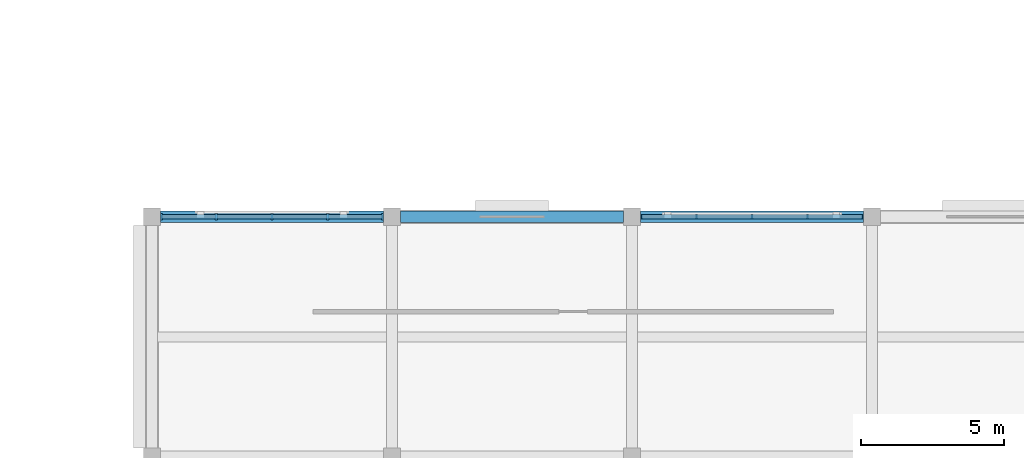
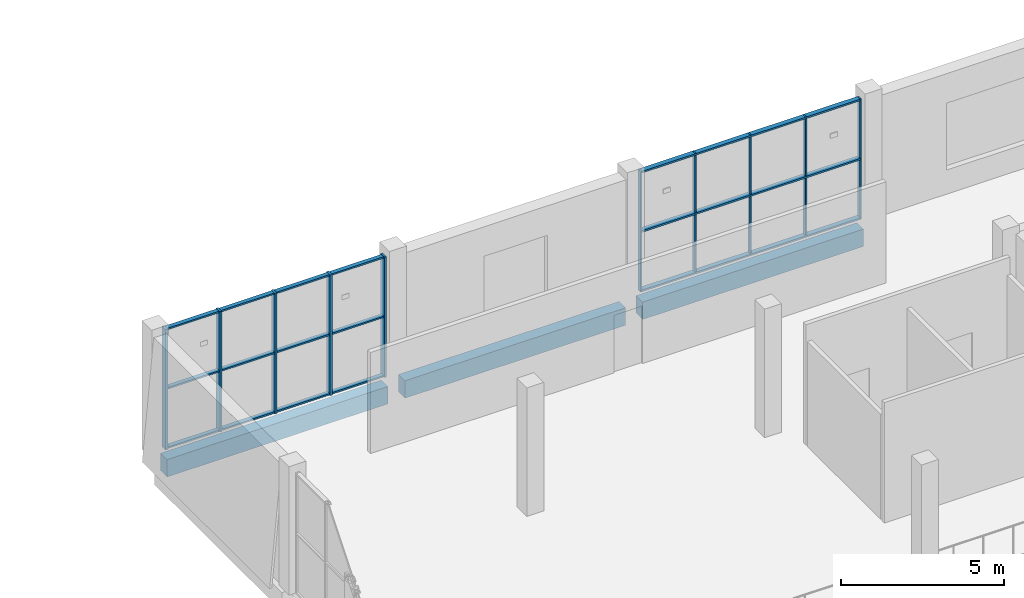
# One storey, part 14 of 37: 16 members, 3 beams, 2 elements without a shape of their own.
"""IFC4 building model written with IfcOpenShell, lengths in metres."""

from ifc_helpers import new_model, si_unit, direction, frame, origin, origin_2d, place, context, subcontext, project, spatial, rectangle, extrude, material, material_profile, profile_set, type_object, element, aggregate, save


model = new_model("IFC4")

# Units and contexts
model_context = context("Model", 3, precision=1e-05, world=origin(), true_north=direction((0.0, 1.0)))
body_context = subcontext(model_context, "Body", "Model", "MODEL_VIEW")
ifc_project = project(units=[si_unit("LENGTHUNIT", "METRE"), si_unit("AREAUNIT", "SQUARE_METRE"), si_unit("VOLUMEUNIT", "CUBIC_METRE"), si_unit("PLANEANGLEUNIT", "RADIAN"), si_unit("MASSUNIT", "GRAM", prefix="KILO")], contexts=[model_context])

# Site, building, storey
site_placement = place(None, origin())
site = spatial("IfcSite", under=ifc_project, at=site_placement, CompositionType="ELEMENT")
building_placement = place(site_placement, origin())
building = spatial("IfcBuilding", under=site, at=building_placement, Name="Shalvenor Court Art Gallery", CompositionType="ELEMENT")
storey_placement = place(building_placement, frame((0.0, 0.0, 22.199951171875)))
storey = spatial("IfcBuildingStorey", under=building, at=storey_placement, Name="L04", CompositionType="ELEMENT", Elevation=22.199951171875)

# Beams
ifc_material_1 = material(Name="Concrete C40/50", Category="concrete")
ifc_material_profile_1 = material_profile(ifc_material_1, rectangle(XDim=0.39990234375, YDim=0.64990234375, at=origin_2d()), Name="RC 400x650")
ifc_profile_set_1 = profile_set([ifc_material_profile_1], Name="Concrete C40/50")
beam_type = type_object("IfcBeamType", Name="B-06", PredefinedType="BEAM", material=ifc_profile_set_1)
beam_placement = place(storey_placement, frame((143.10009765625, 97.199951171875, -0.625), z_axis=(1.0, 0.0, 0.0), x_axis=(0.0, 1.0, 0.0)))
element("IfcBeam", 1, at=beam_placement, inside=storey, type_object=beam_type, Name="L04 Girder BM-L04-B-06-1244", PredefinedType="BEAM", context=body_context, shape_type="SweptSolid", body=[
    extrude(rectangle(XDim=0.39990234375, YDim=0.64990234375, at=origin_2d()), origin(), (0.0, 0.0, 1.0), 7.7998046875),
])
for number, where, z_axis, x_axis, name in (
    (2, (151.5, 97.199951171875, -0.625), (1.0, 0.0, 0.0), (0.0, 1.0, 0.0), "L04 Girder BM-L04-B-06-1245"),
    (3, (159.89990234375, 97.199951171875, -0.625), (1.0, 0.0, 0.0), (0.0, 1.0, 0.0), "L04 Girder BM-L04-B-06-1246"),
):
    element("IfcBeam", number, at=place(storey_placement, frame(where, z_axis=z_axis, x_axis=x_axis)), inside=storey, type_object=beam_type, Name=name, PredefinedType="BEAM", context=body_context, shape_type="SweptSolid", body=[
        extrude(rectangle(XDim=0.39990234375, YDim=0.64990234375, at=origin_2d()), origin(), (0.0, 0.0, 1.0), 7.800048828125),
    ])

# Curtain wall, members
ifc_material_2 = material(Name="Anodised aluminium and low-iron glass curtain wall", Category="aluminium")
curtain_wall_type_1 = type_object("IfcCurtainWallType", Name="CW-4x2-78-45-412", PredefinedType="USERDEFINED", material=ifc_material_2)
curtain_wall_1_placement = place(storey_placement, origin())
curtain_wall_1 = element("IfcCurtainWall", 4, at=curtain_wall_1_placement, inside=storey, type_object=curtain_wall_type_1, Name="L04 V1 Curtain Wall CW-L04-030", ObjectType="CURTAIN WALL", PredefinedType="USERDEFINED")
ifc_material_3 = material(Name="Anodised aluminium mullion", Category="aluminium")
ifc_material_profile_2 = material_profile(ifc_material_3, rectangle(XDim=0.074951171875, YDim=0.219970703125, at=origin_2d()), Name="CWM-04")
ifc_profile_set_2 = profile_set([ifc_material_profile_2], Name="Anodised aluminium mullion")
member_type_1 = type_object("IfcMemberType", Name="CWM-04", PredefinedType="MULLION", material=ifc_profile_set_2)
member_1_placement = place(storey_placement, frame((143.137451171875, 97.199951171875, 0.0), z_axis=(0.0, 0.0, 1.0), x_axis=(1.0, 0.0, 0.0)))
member_1 = element("IfcMember", 5, at=member_1_placement, type_object=member_type_1, Name="CW-4x2-78-45-412 mullion 1", PredefinedType="MULLION", context=body_context, shape_type="SweptSolid", body=[
    extrude(rectangle(XDim=0.074951171875, YDim=0.219970703125, at=origin_2d()), origin(), (0.0, 0.0, 1.0), 4.5),
])
member_2_placement = place(storey_placement, frame((145.050048828125, 97.199951171875, 0.0), z_axis=(0.0, 0.0, 1.0), x_axis=(1.0, 0.0, 0.0)))
member_2 = element("IfcMember", 6, at=member_2_placement, type_object=member_type_1, Name="CW-4x2-78-45-412 mullion 2", PredefinedType="MULLION", context=body_context, shape_type="SweptSolid", body=[
    extrude(rectangle(XDim=0.074951171875, YDim=0.219970703125, at=origin_2d()), origin(), (0.0, 0.0, 1.0), 4.5),
])
member_3_placement = place(storey_placement, frame((147.0, 97.199951171875, 0.0), z_axis=(0.0, 0.0, 1.0), x_axis=(1.0, 0.0, 0.0)))
member_3 = element("IfcMember", 7, at=member_3_placement, type_object=member_type_1, Name="CW-4x2-78-45-412 mullion 3", PredefinedType="MULLION", context=body_context, shape_type="SweptSolid", body=[
    extrude(rectangle(XDim=0.074951171875, YDim=0.219970703125, at=origin_2d()), origin(), (0.0, 0.0, 1.0), 4.5),
])
member_4_placement = place(storey_placement, frame((148.949951171875, 97.199951171875, 0.0), z_axis=(0.0, 0.0, 1.0), x_axis=(1.0, 0.0, 0.0)))
member_4 = element("IfcMember", 8, at=member_4_placement, type_object=member_type_1, Name="CW-4x2-78-45-412 mullion 4", PredefinedType="MULLION", context=body_context, shape_type="SweptSolid", body=[
    extrude(rectangle(XDim=0.074951171875, YDim=0.219970703125, at=origin_2d()), origin(), (0.0, 0.0, 1.0), 4.5),
])
member_5_placement = place(storey_placement, frame((150.862548828125, 97.199951171875, 0.0), z_axis=(0.0, 0.0, 1.0), x_axis=(1.0, 0.0, 0.0)))
member_5 = element("IfcMember", 9, at=member_5_placement, type_object=member_type_1, Name="CW-4x2-78-45-412 mullion 5", PredefinedType="MULLION", context=body_context, shape_type="SweptSolid", body=[
    extrude(rectangle(XDim=0.074951171875, YDim=0.219970703125, at=origin_2d()), origin(), (0.0, 0.0, 1.0), 4.5),
])

ifc_material_4 = material(Name="Anodised aluminium and low-iron glass curtain wall", Category="aluminium")
curtain_wall_type_2 = type_object("IfcCurtainWallType", Name="CW-4x2-78-45-622", PredefinedType="USERDEFINED", material=ifc_material_4)
curtain_wall_2_placement = place(storey_placement, origin())
curtain_wall_2 = element("IfcCurtainWall", 10, at=curtain_wall_2_placement, inside=storey, type_object=curtain_wall_type_2, Name="L04 V1 Curtain Wall CW-L04-031", ObjectType="CURTAIN WALL", PredefinedType="USERDEFINED")
ifc_material_5 = material(Name="Anodised aluminium mullion", Category="aluminium")
ifc_material_profile_3 = material_profile(ifc_material_5, rectangle(XDim=0.054931640625, YDim=0.139892578125, at=origin_2d()), Name="CWM-06")
ifc_profile_set_3 = profile_set([ifc_material_profile_3], Name="Anodised aluminium mullion")
member_type_2 = type_object("IfcMemberType", Name="CWM-06", PredefinedType="MULLION", material=ifc_profile_set_3)
member_6_placement = place(storey_placement, frame((159.927490234375, 97.199951171875, 0.0), z_axis=(0.0, 0.0, 1.0), x_axis=(1.0, 0.0, 0.0)))
member_6 = element("IfcMember", 11, at=member_6_placement, type_object=member_type_2, Name="CW-4x2-78-45-622 mullion 1", PredefinedType="MULLION", context=body_context, shape_type="SweptSolid", body=[
    extrude(rectangle(XDim=0.054931640625, YDim=0.139892578125, at=origin_2d()), origin(), (0.0, 0.0, 1.0), 4.5),
])
member_7_placement = place(storey_placement, frame((161.85009765625, 97.199951171875, 0.0), z_axis=(0.0, 0.0, 1.0), x_axis=(1.0, 0.0, 0.0)))
member_7 = element("IfcMember", 12, at=member_7_placement, type_object=member_type_2, Name="CW-4x2-78-45-622 mullion 2", PredefinedType="MULLION", context=body_context, shape_type="SweptSolid", body=[
    extrude(rectangle(XDim=0.054931640625, YDim=0.139892578125, at=origin_2d()), origin(), (0.0, 0.0, 1.0), 4.5),
])
member_8_placement = place(storey_placement, frame((163.800048828125, 97.199951171875, 0.0), z_axis=(0.0, 0.0, 1.0), x_axis=(1.0, 0.0, 0.0)))
member_8 = element("IfcMember", 13, at=member_8_placement, type_object=member_type_2, Name="CW-4x2-78-45-622 mullion 3", PredefinedType="MULLION", context=body_context, shape_type="SweptSolid", body=[
    extrude(rectangle(XDim=0.054931640625, YDim=0.139892578125, at=origin_2d()), origin(), (0.0, 0.0, 1.0), 4.5),
])
member_9_placement = place(storey_placement, frame((165.75, 97.199951171875, 0.0), z_axis=(0.0, 0.0, 1.0), x_axis=(1.0, 0.0, 0.0)))
member_9 = element("IfcMember", 14, at=member_9_placement, type_object=member_type_2, Name="CW-4x2-78-45-622 mullion 4", PredefinedType="MULLION", context=body_context, shape_type="SweptSolid", body=[
    extrude(rectangle(XDim=0.054931640625, YDim=0.139892578125, at=origin_2d()), origin(), (0.0, 0.0, 1.0), 4.5),
])
member_10_placement = place(storey_placement, frame((167.672607421875, 97.199951171875, 0.0), z_axis=(0.0, 0.0, 1.0), x_axis=(1.0, 0.0, 0.0)))
member_10 = element("IfcMember", 15, at=member_10_placement, type_object=member_type_2, Name="CW-4x2-78-45-622 mullion 5", PredefinedType="MULLION", context=body_context, shape_type="SweptSolid", body=[
    extrude(rectangle(XDim=0.054931640625, YDim=0.139892578125, at=origin_2d()), origin(), (0.0, 0.0, 1.0), 4.5),
])

# Member
ifc_material_6 = material(Name="Anodised aluminium transom", Category="aluminium")
ifc_material_profile_4 = material_profile(ifc_material_6, rectangle(XDim=0.14990234375, YDim=0.06005859375, at=origin_2d()), Name="CWT-01")
ifc_profile_set_4 = profile_set([ifc_material_profile_4], Name="Anodised aluminium transom")
member_type_3 = type_object("IfcMemberType", Name="CWT-01", PredefinedType="USERDEFINED", material=ifc_profile_set_4)
member_11_placement = place(storey_placement, frame((143.137451171875, 97.199951171875, 0.030029296875), z_axis=(1.0, 0.0, 0.0), x_axis=(0.0, 1.0, 0.0)))
member_11 = element("IfcMember", 16, at=member_11_placement, type_object=member_type_3, Name="CW-4x2-78-45-412 transom 1", ObjectType="TRANSOM", PredefinedType="USERDEFINED", context=body_context, shape_type="SweptSolid", body=[
    extrude(rectangle(XDim=0.14990234375, YDim=0.06005859375, at=origin_2d()), origin(), (0.0, 0.0, 1.0), 7.72509765625),
])

member_12_placement = place(storey_placement, frame((143.137451171875, 97.199951171875, 2.25), z_axis=(1.0, 0.0, 0.0), x_axis=(0.0, 1.0, 0.0)))
member_12 = element("IfcMember", 17, at=member_12_placement, type_object=member_type_3, Name="CW-4x2-78-45-412 transom 2", ObjectType="TRANSOM", PredefinedType="USERDEFINED", context=body_context, shape_type="SweptSolid", body=[
    extrude(rectangle(XDim=0.14990234375, YDim=0.06005859375, at=origin_2d()), origin(), (0.0, 0.0, 1.0), 7.72509765625),
])

member_13_placement = place(storey_placement, frame((143.137451171875, 97.199951171875, 4.469970703125), z_axis=(1.0, 0.0, 0.0), x_axis=(0.0, 1.0, 0.0)))
member_13 = element("IfcMember", 18, at=member_13_placement, type_object=member_type_3, Name="CW-4x2-78-45-412 transom 3", ObjectType="TRANSOM", PredefinedType="USERDEFINED", context=body_context, shape_type="SweptSolid", body=[
    extrude(rectangle(XDim=0.14990234375, YDim=0.06005859375, at=origin_2d()), origin(), (0.0, 0.0, 1.0), 7.72509765625),
])

aggregate(curtain_wall_1, [member_1, member_2, member_3, member_4, member_5, member_11, member_12, member_13])

ifc_material_7 = material(Name="Anodised aluminium transom", Category="aluminium")
ifc_material_profile_5 = material_profile(ifc_material_7, rectangle(XDim=0.169921875, YDim=0.06494140625, at=origin_2d()), Name="CWT-02")
ifc_profile_set_5 = profile_set([ifc_material_profile_5], Name="Anodised aluminium transom")
member_type_4 = type_object("IfcMemberType", Name="CWT-02", PredefinedType="USERDEFINED", material=ifc_profile_set_5)
member_14_placement = place(storey_placement, frame((159.927490234375, 97.199951171875, 0.032470703125), z_axis=(1.0, 0.0, 0.0), x_axis=(0.0, 1.0, 0.0)))
member_14 = element("IfcMember", 19, at=member_14_placement, type_object=member_type_4, Name="CW-4x2-78-45-622 transom 1", ObjectType="TRANSOM", PredefinedType="USERDEFINED", context=body_context, shape_type="SweptSolid", body=[
    extrude(rectangle(XDim=0.169921875, YDim=0.06494140625, at=origin_2d()), origin(), (0.0, 0.0, 1.0), 7.7451171875),
])

member_15_placement = place(storey_placement, frame((159.927490234375, 97.199951171875, 2.25), z_axis=(1.0, 0.0, 0.0), x_axis=(0.0, 1.0, 0.0)))
member_15 = element("IfcMember", 20, at=member_15_placement, type_object=member_type_4, Name="CW-4x2-78-45-622 transom 2", ObjectType="TRANSOM", PredefinedType="USERDEFINED", context=body_context, shape_type="SweptSolid", body=[
    extrude(rectangle(XDim=0.169921875, YDim=0.06494140625, at=origin_2d()), origin(), (0.0, 0.0, 1.0), 7.7451171875),
])

member_16_placement = place(storey_placement, frame((159.927490234375, 97.199951171875, 4.467529296875), z_axis=(1.0, 0.0, 0.0), x_axis=(0.0, 1.0, 0.0)))
member_16 = element("IfcMember", 21, at=member_16_placement, type_object=member_type_4, Name="CW-4x2-78-45-622 transom 3", ObjectType="TRANSOM", PredefinedType="USERDEFINED", context=body_context, shape_type="SweptSolid", body=[
    extrude(rectangle(XDim=0.169921875, YDim=0.06494140625, at=origin_2d()), origin(), (0.0, 0.0, 1.0), 7.7451171875),
])

aggregate(curtain_wall_2, [member_6, member_7, member_8, member_9, member_10, member_14, member_15, member_16])

save(model, "model.ifc")
